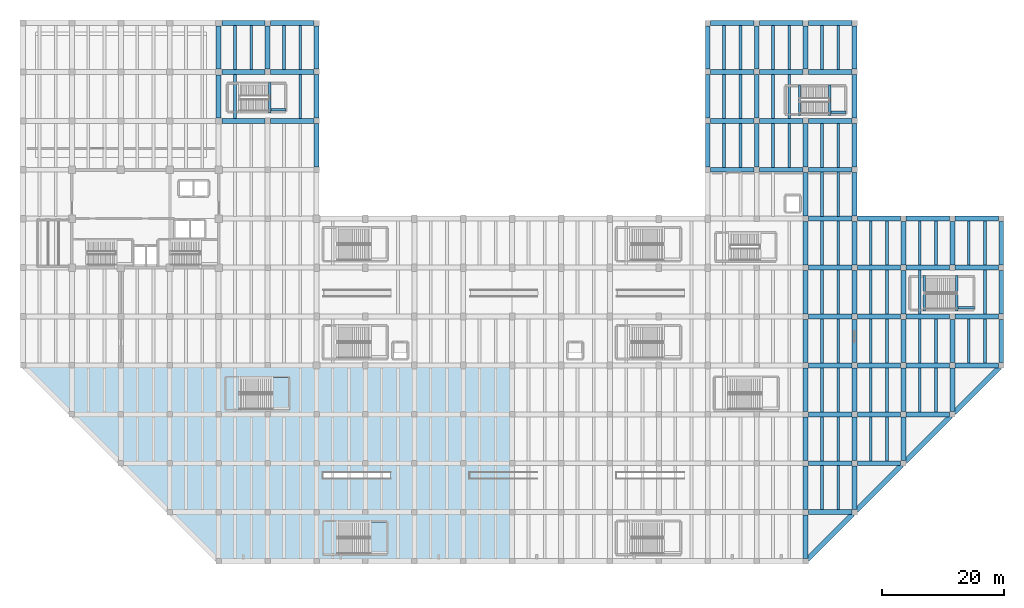
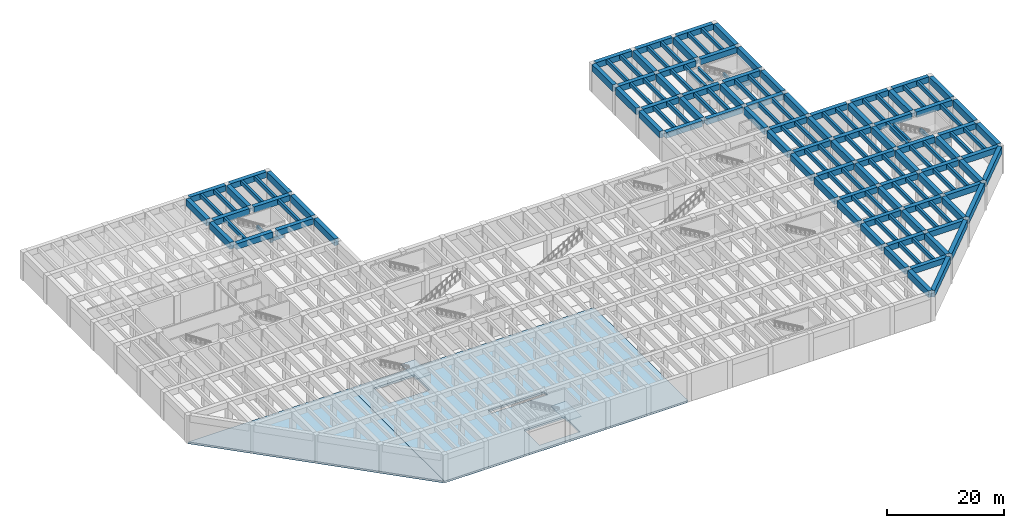
# One storey, part 5 of 24: 153 beams, 4 slabs, 2 elements without a shape of their own.
"""IFC4 building model written with IfcOpenShell, lengths in metres."""

import ifcopenshell
import ifcopenshell.guid

model = None  # the IFC model being written
_history = None  # IfcOwnerHistory: only IFC2X3 demands one
_inside = {}  # id of a spatial element -> (the spatial element, [elements in it])
_under = {}  # id of a project, library or spatial element -> (it, [spatial elements below it])
_declared = {}  # id of a project -> (the project, [libraries it declares])
_typed = {}  # id of a type object -> (the type object, [elements of that type])
_made_of = {}  # id of a material, layer set ... -> (it, [elements and type objects made of it])


def new_model(schema):
    """Start an empty IFC model of exactly this schema.

    Asked for "IFC4X3", IfcOpenShell would pick the latest addendum, in which some entities
    have other attributes; the version numbers below select the first issue.
    IFC2X3 requires an IfcOwnerHistory on every rooted entity: one is made here for all.
    """
    global model, _history
    if schema == "IFC4X3":
        model = ifcopenshell.file(schema_version=(4, 3, 0, 0))
    else:
        model = ifcopenshell.file(schema=schema)
    _inside.clear()
    _under.clear()
    _declared.clear()
    _typed.clear()
    _made_of.clear()
    _history = None
    if model.schema == "IFC2X3":
        org = make("IfcOrganization", Name="unknown")
        user = make(
            "IfcPersonAndOrganization",
            ThePerson=make("IfcPerson", FamilyName="unknown"),
            TheOrganization=org,
        )
        app = make(
            "IfcApplication",
            ApplicationDeveloper=org,
            Version="unknown",
            ApplicationFullName="unknown",
            ApplicationIdentifier="unknown",
        )
        _history = make(
            "IfcOwnerHistory",
            OwningUser=user,
            OwningApplication=app,
            ChangeAction="ADDED",
            CreationDate=0,
        )
    return model


def make(cls, **values):
    """One entity of the class cls with the attributes given. An attribute that is None is left unset."""
    return model.create_entity(
        cls, **{name: value for name, value in values.items() if value is not None}
    )


def rooted(cls, **values):
    """An entity with a GlobalId (a new one), such as an element, a storey or a relation."""
    return make(cls, GlobalId=ifcopenshell.guid.new(), OwnerHistory=_history, **values)


def si_unit(unit_type, name, prefix=None):
    """IfcSIUnit, for example si_unit("LENGTHUNIT", "METRE", prefix="MILLI")."""
    return make("IfcSIUnit", UnitType=unit_type, Prefix=prefix, Name=name)


def assignment(units):
    """IfcUnitAssignment: the units of a project."""
    return None if units is None else make("IfcUnitAssignment", Units=units)


def point(xyz):
    """IfcCartesianPoint."""
    return None if xyz is None else make("IfcCartesianPoint", Coordinates=xyz)


def direction(xyz):
    """IfcDirection."""
    return None if xyz is None else make("IfcDirection", DirectionRatios=xyz)


def frame(location, z_axis=None, x_axis=None):
    """IfcAxis2Placement3D, a coordinate frame: its origin and axes. An axis left out is left unset."""
    return make(
        "IfcAxis2Placement3D",
        Location=point(location),
        Axis=direction(z_axis),
        RefDirection=direction(x_axis),
    )


def frame_2d(location, x_axis=None):
    """IfcAxis2Placement2D, a coordinate frame in the plane: its origin and x axis."""
    return make(
        "IfcAxis2Placement2D", Location=point(location), RefDirection=direction(x_axis)
    )


def origin():
    """The frame at (0, 0, 0) with its axes left unset."""
    return frame((0.0, 0.0, 0.0))


def origin_2d():
    """The frame at (0, 0) in the plane with its x axis left unset."""
    return frame_2d((0.0, 0.0))


def place(relative_to, where):
    """IfcLocalPlacement: puts the frame where relative to a parent placement (None: the world)."""
    return make(
        "IfcLocalPlacement", PlacementRelTo=relative_to, RelativePlacement=where
    )


def context(
    kind, dimensions, precision=None, world=None, true_north=None, identifier=None
):
    """IfcGeometricRepresentationContext, for example the 3D "Model" context."""
    return make(
        "IfcGeometricRepresentationContext",
        ContextIdentifier=identifier,
        ContextType=kind,
        CoordinateSpaceDimension=dimensions,
        Precision=precision,
        WorldCoordinateSystem=world,
        TrueNorth=true_north,
    )


def subcontext(parent, identifier, kind, view, scale=None):
    """IfcGeometricRepresentationSubContext, for example "Body" below "Model"."""
    return make(
        "IfcGeometricRepresentationSubContext",
        ContextIdentifier=identifier,
        ContextType=kind,
        ParentContext=parent,
        TargetScale=scale,
        TargetView=view,
    )


def project(units=None, contexts=None):
    """IfcProject with its units and contexts."""
    return rooted(
        "IfcProject",
        Name="project",
        RepresentationContexts=contexts,
        UnitsInContext=assignment(units),
    )


def spatial(cls, under=None, at=None, **own):
    """A site, building, storey or space (cls), placed at a placement, below another one or the project."""
    s = rooted(cls, ObjectPlacement=at, **own)
    if under is not None:
        _under.setdefault(under.id(), (under, []))[1].append(s)
    return s


def polyline(points):
    """IfcPolyline through the points."""
    return make("IfcPolyline", Points=[point(p) for p in points])


def profile(cls, at=None, kind="AREA", **sizes):
    """A parametric profile (cls). Its sizes go by their IFC names, for example OverallWidth=200.0."""
    return make(cls, ProfileType=kind, Position=at, **sizes)


def rectangle(**sizes):
    """IfcRectangleProfileDef."""
    return profile("IfcRectangleProfileDef", **sizes)


def outline(outer, holes=None, kind="AREA"):
    """IfcArbitraryClosedProfileDef: a profile drawn as a closed curve; with holes, ...WithVoids."""
    if holes is None:
        return make("IfcArbitraryClosedProfileDef", ProfileType=kind, OuterCurve=outer)
    return make(
        "IfcArbitraryProfileDefWithVoids",
        ProfileType=kind,
        OuterCurve=outer,
        InnerCurves=holes,
    )


def extrude(swept, where, along, depth):
    """IfcExtrudedAreaSolid: the profile swept, set in the frame where, extruded along a direction by depth."""
    return make(
        "IfcExtrudedAreaSolid",
        SweptArea=swept,
        Position=where,
        ExtrudedDirection=direction(along),
        Depth=depth,
    )


def shape(context_of_items, identifier, shape_type, items):
    """IfcShapeRepresentation: the items that make up one representation, for example the "Body"."""
    return make(
        "IfcShapeRepresentation",
        ContextOfItems=context_of_items,
        RepresentationIdentifier=identifier,
        RepresentationType=shape_type,
        Items=items,
    )


def material(Name=None, Category=None):
    """IfcMaterial."""
    return make("IfcMaterial", Name=Name, Category=Category)


def layer(
    of_material, thickness, ventilated=None, Name=None, Category=None, Priority=None
):
    """IfcMaterialLayer: one layer of a wall or slab, of a material (None: an air gap)."""
    return make(
        "IfcMaterialLayer",
        Material=of_material,
        LayerThickness=thickness,
        IsVentilated=ventilated,
        Name=Name,
        Category=Category,
        Priority=Priority,
    )


def layer_set(layers, Name=None):
    """IfcMaterialLayerSet."""
    return make("IfcMaterialLayerSet", MaterialLayers=layers, LayerSetName=Name)


def material_profile(
    of_material, cross_section, Name=None, Category=None, Priority=None
):
    """IfcMaterialProfile: a cross section and its material."""
    return make(
        "IfcMaterialProfile",
        Name=Name,
        Material=of_material,
        Profile=cross_section,
        Priority=Priority,
        Category=Category,
    )


def profile_set(profiles, Name=None, composite=None):
    """IfcMaterialProfileSet."""
    return make(
        "IfcMaterialProfileSet",
        Name=Name,
        MaterialProfiles=profiles,
        CompositeProfile=composite,
    )


def made_of(thing, what):
    """Note that an element or type object is made of a material, layer set ...; save() writes the relation."""
    if what is not None:
        _made_of.setdefault(what.id(), (what, []))[1].append(thing)
    return thing


def type_object(cls, material=None, **own):
    """A type object (cls), such as IfcWallType, which elements share."""
    return made_of(rooted(cls, **own), material)


def element(
    cls,
    number,
    at=None,
    inside=None,
    cuts=None,
    type_object=None,
    material=None,
    context=None,
    identifier="Body",
    shape_type=None,
    held_by="IfcProductDefinitionShape",
    body=None,
    shapes=None,
    **own,
):
    """One element of the class cls, such as IfcWall. Its Tag is "e" and its number.

    at: its placement. inside: the storey or other place that contains it. cuts: it is an
    opening in that element (IfcRelVoidsElement). A single representation is given by context,
    identifier, shape_type and body (its items); several are given by shapes. held_by: the class
    of the entity that holds the representations. save() writes the other relations.
    """
    e = rooted(cls, Tag="e%d" % number, ObjectPlacement=at, **own)
    if body is not None:
        shapes = [shape(context, identifier, shape_type, body)]
    if shapes is not None:
        e.Representation = make(held_by, Representations=shapes)
    if inside is not None:
        _inside.setdefault(inside.id(), (inside, []))[1].append(e)
    if cuts is not None:
        rooted(
            "IfcRelVoidsElement", RelatingBuildingElement=cuts, RelatedOpeningElement=e
        )
    if type_object is not None:
        _typed.setdefault(type_object.id(), (type_object, []))[1].append(e)
    return made_of(e, material)


def aggregate(whole, parts):
    """IfcRelAggregates: a whole, such as a stair, and the parts it consists of."""
    return rooted("IfcRelAggregates", RelatingObject=whole, RelatedObjects=parts)


def save(model, path):
    """Write the relations noted so far, then the file.

    IfcRelAggregates (storeys below a building ...), IfcRelContainedInSpatialStructure (elements
    in a storey), IfcRelDefinesByType, IfcRelAssociatesMaterial and IfcRelDeclares: one each for
    every whole, place, type object, material and project.
    """
    for whole, parts in _under.values():
        aggregate(whole, parts)
    for where, things in _inside.values():
        rooted(
            "IfcRelContainedInSpatialStructure",
            RelatedElements=things,
            RelatingStructure=where,
        )
    for kind, things in _typed.values():
        rooted("IfcRelDefinesByType", RelatedObjects=things, RelatingType=kind)
    for what, things in _made_of.values():
        rooted("IfcRelAssociatesMaterial", RelatedObjects=things, RelatingMaterial=what)
    for by, libraries in _declared.values():
        rooted("IfcRelDeclares", RelatingContext=by, RelatedDefinitions=libraries)
    model.write(path)


model = new_model("IFC4")

# Units and contexts
model_context = context("Model", 3, precision=1e-05, world=origin(), true_north=direction((0.0, 1.0)))
body_context = subcontext(model_context, "Body", "Model", "MODEL_VIEW")
ifc_project = project(units=[si_unit("LENGTHUNIT", "METRE"), si_unit("AREAUNIT", "SQUARE_METRE"), si_unit("VOLUMEUNIT", "CUBIC_METRE"), si_unit("PLANEANGLEUNIT", "RADIAN"), si_unit("MASSUNIT", "GRAM", prefix="KILO")], contexts=[model_context])

# Site, building, storey
site_placement = place(None, origin())
site = spatial("IfcSite", under=ifc_project, at=site_placement, CompositionType="ELEMENT")
building_placement = place(site_placement, origin())
building = spatial("IfcBuilding", under=site, at=building_placement, Name="Varnela Railside Interchange", CompositionType="ELEMENT")
storey_placement = place(building_placement, frame((0.0, 0.0, -6.300048828125)))
storey = spatial("IfcBuildingStorey", under=building, at=storey_placement, Name="B1", CompositionType="ELEMENT", Elevation=-6.300048828125)

# Beams
ifc_material_1 = material(Name="Concrete C50", Category="concrete")
ifc_material_profile_1 = material_profile(ifc_material_1, rectangle(XDim=0.800048828125, YDim=1.199951171875, at=origin_2d()), Name="RC 800x1200")
ifc_profile_set_1 = profile_set([ifc_material_profile_1], Name="Concrete C50")
beam_type_1 = type_object("IfcBeamType", Name="Bus Deck Heavy Girder B-09", PredefinedType="BEAM", material=ifc_profile_set_1)
for number, where, z_axis, x_axis, name in (
    (1, (132.449951171875, 14.0, 5.25), (1.0, 0.0, 0.0), (0.0, 1.0, 0.0), "Bus Deck Heavy Girder B-09 (B1) (BM-0675)"),
    (2, (132.449951171875, 22.0, 5.25), (1.0, 0.0, 0.0), (0.0, 1.0, 0.0), "Bus Deck Heavy Girder B-09 (B1) (BM-0689)"),
    (3, (140.449951171875, 22.0, 5.25), (1.0, 0.0, 0.0), (0.0, 1.0, 0.0), "Bus Deck Heavy Girder B-09 (B1) (BM-0690)"),
    (4, (132.449951171875, 30.0, 5.25), (1.0, 0.0, 0.0), (0.0, 1.0, 0.0), "Bus Deck Heavy Girder B-09 (B1) (BM-0706)"),
    (5, (140.449951171875, 30.0, 5.25), (1.0, 0.0, 0.0), (0.0, 1.0, 0.0), "Bus Deck Heavy Girder B-09 (B1) (BM-0707)"),
    (6, (148.449951171875, 30.0, 5.25), (1.0, 0.0, 0.0), (0.0, 1.0, 0.0), "Bus Deck Heavy Girder B-09 (B1) (BM-0708)"),
    (7, (132.449951171875, 38.0, 5.25), (1.0, 0.0, 0.0), (0.0, 1.0, 0.0), "Bus Deck Heavy Girder B-09 (B1) (BM-0724)"),
    (8, (140.449951171875, 38.0, 5.25), (1.0, 0.0, 0.0), (0.0, 1.0, 0.0), "Bus Deck Heavy Girder B-09 (B1) (BM-0725)"),
    (9, (148.449951171875, 38.0, 5.25), (1.0, 0.0, 0.0), (0.0, 1.0, 0.0), "Bus Deck Heavy Girder B-09 (B1) (BM-0726)"),
    (10, (156.449951171875, 38.0, 5.25), (1.0, 0.0, 0.0), (0.0, 1.0, 0.0), "Bus Deck Heavy Girder B-09 (B1) (BM-0727)"),
    (11, (132.449951171875, 46.0, 5.25), (1.0, 0.0, 0.0), (0.0, 1.0, 0.0), "Bus Deck Heavy Girder B-09 (B1) (BM-0744)"),
    (12, (140.449951171875, 46.0, 5.25), (1.0, 0.0, 0.0), (0.0, 1.0, 0.0), "Bus Deck Heavy Girder B-09 (B1) (BM-0745)"),
    (13, (148.449951171875, 46.0, 5.25), (1.0, 0.0, 0.0), (0.0, 1.0, 0.0), "Bus Deck Heavy Girder B-09 (B1) (BM-0746)"),
    (14, (156.449951171875, 46.0, 5.25), (1.0, 0.0, 0.0), (0.0, 1.0, 0.0), "Bus Deck Heavy Girder B-09 (B1) (BM-0747)"),
    (15, (132.449951171875, 54.0, 5.25), (1.0, 0.0, 0.0), (0.0, 1.0, 0.0), "Bus Deck Heavy Girder B-09 (B1) (BM-0763)"),
    (16, (140.449951171875, 54.0, 5.25), (1.0, 0.0, 0.0), (0.0, 1.0, 0.0), "Bus Deck Heavy Girder B-09 (B1) (BM-0764)"),
    (17, (148.449951171875, 54.0, 5.25), (1.0, 0.0, 0.0), (0.0, 1.0, 0.0), "Bus Deck Heavy Girder B-09 (B1) (BM-0765)"),
    (18, (156.449951171875, 54.0, 5.25), (1.0, 0.0, 0.0), (0.0, 1.0, 0.0), "Bus Deck Heavy Girder B-09 (B1) (BM-0766)"),
    (19, (132.449951171875, 62.0, 5.25), (1.0, 0.0, 0.0), (0.0, 1.0, 0.0), "Bus Deck Heavy Girder B-09 (B1) (BM-0780)"),
    (20, (140.449951171875, 62.0, 5.25), (1.0, 0.0, 0.0), (0.0, 1.0, 0.0), "Bus Deck Heavy Girder B-09 (B1) (BM-0781)"),
    (21, (148.449951171875, 62.0, 5.25), (1.0, 0.0, 0.0), (0.0, 1.0, 0.0), "Bus Deck Heavy Girder B-09 (B1) (BM-0782)"),
    (22, (156.449951171875, 62.0, 5.25), (1.0, 0.0, 0.0), (0.0, 1.0, 0.0), "Bus Deck Heavy Girder B-09 (B1) (BM-0783)"),
    (23, (116.449951171875, 70.0, 5.25), (1.0, 0.0, 0.0), (0.0, 1.0, 0.0), "Bus Deck Heavy Girder B-09 (B1) (BM-0793)"),
    (24, (124.449951171875, 70.0, 5.25), (1.0, 0.0, 0.0), (0.0, 1.0, 0.0), "Bus Deck Heavy Girder B-09 (B1) (BM-0794)"),
    (25, (132.449951171875, 70.0, 5.25), (1.0, 0.0, 0.0), (0.0, 1.0, 0.0), "Bus Deck Heavy Girder B-09 (B1) (BM-0795)"),
):
    element("IfcBeam", number, at=place(storey_placement, frame(where, z_axis=z_axis, x_axis=x_axis)), inside=storey, type_object=beam_type_1, Name=name, PredefinedType="BEAM", context=body_context, shape_type="SweptSolid", body=[
        extrude(rectangle(XDim=0.800048828125, YDim=1.199951171875, at=origin_2d()), origin(), (0.0, 0.0, 1.0), 7.10009765625),
    ])
beam_1_placement = place(storey_placement, frame((36.5, 78.0, 5.25), z_axis=(1.0, 0.0, 0.0), x_axis=(0.0, 1.0, 0.0)))
element("IfcBeam", 26, at=beam_1_placement, inside=storey, type_object=beam_type_1, Name="Bus Deck Heavy Girder B-09 (B1) (BM-0805)", PredefinedType="BEAM", context=body_context, shape_type="SweptSolid", body=[
    extrude(rectangle(XDim=0.800048828125, YDim=1.199951171875, at=origin_2d()), origin(), (0.0, 0.0, 1.0), 7.050048828125),
])
for number, where, z_axis, x_axis, name in (
    (27, (44.449951171875, 78.0, 5.25), (1.0, 0.0, 0.0), (0.0, 1.0, 0.0), "Bus Deck Heavy Girder B-09 (B1) (BM-0806)"),
    (28, (116.449951171875, 78.0, 5.25), (1.0, 0.0, 0.0), (0.0, 1.0, 0.0), "Bus Deck Heavy Girder B-09 (B1) (BM-0799)"),
    (29, (124.449951171875, 78.0, 5.25), (1.0, 0.0, 0.0), (0.0, 1.0, 0.0), "Bus Deck Heavy Girder B-09 (B1) (BM-0800)"),
    (30, (132.449951171875, 78.0, 5.25), (1.0, 0.0, 0.0), (0.0, 1.0, 0.0), "Bus Deck Heavy Girder B-09 (B1) (BM-0802)"),
):
    element("IfcBeam", number, at=place(storey_placement, frame(where, z_axis=z_axis, x_axis=x_axis)), inside=storey, type_object=beam_type_1, Name=name, PredefinedType="BEAM", context=body_context, shape_type="SweptSolid", body=[
        extrude(rectangle(XDim=0.800048828125, YDim=1.199951171875, at=origin_2d()), origin(), (0.0, 0.0, 1.0), 7.10009765625),
    ])
beam_2_placement = place(storey_placement, frame((36.5, 86.0, 5.25), z_axis=(1.0, 0.0, 0.0), x_axis=(0.0, 1.0, 0.0)))
element("IfcBeam", 31, at=beam_2_placement, inside=storey, type_object=beam_type_1, Name="Bus Deck Heavy Girder B-09 (B1) (BM-0814)", PredefinedType="BEAM", context=body_context, shape_type="SweptSolid", body=[
    extrude(rectangle(XDim=0.800048828125, YDim=1.199951171875, at=origin_2d()), origin(), (0.0, 0.0, 1.0), 7.050048828125),
])
for number, where, z_axis, x_axis, name in (
    (32, (44.449951171875, 86.0, 5.25), (1.0, 0.0, 0.0), (0.0, 1.0, 0.0), "Bus Deck Heavy Girder B-09 (B1) (BM-0815)"),
    (33, (116.449951171875, 86.0, 5.25), (1.0, 0.0, 0.0), (0.0, 1.0, 0.0), "Bus Deck Heavy Girder B-09 (B1) (BM-0808)"),
    (34, (124.449951171875, 86.0, 5.25), (1.0, 0.0, 0.0), (0.0, 1.0, 0.0), "Bus Deck Heavy Girder B-09 (B1) (BM-0809)"),
    (35, (132.449951171875, 86.0, 5.25), (1.0, 0.0, 0.0), (0.0, 1.0, 0.0), "Bus Deck Heavy Girder B-09 (B1) (BM-0811)"),
):
    element("IfcBeam", number, at=place(storey_placement, frame(where, z_axis=z_axis, x_axis=x_axis)), inside=storey, type_object=beam_type_1, Name=name, PredefinedType="BEAM", context=body_context, shape_type="SweptSolid", body=[
        extrude(rectangle(XDim=0.800048828125, YDim=1.199951171875, at=origin_2d()), origin(), (0.0, 0.0, 1.0), 7.10009765625),
    ])
beam_3_placement = place(storey_placement, frame((36.5, 94.0, 5.25), z_axis=(1.0, 0.0, 0.0), x_axis=(0.0, 1.0, 0.0)))
element("IfcBeam", 36, at=beam_3_placement, inside=storey, type_object=beam_type_1, Name="Bus Deck Heavy Girder B-09 (B1) (BM-0823)", PredefinedType="BEAM", context=body_context, shape_type="SweptSolid", body=[
    extrude(rectangle(XDim=0.800048828125, YDim=1.199951171875, at=origin_2d()), origin(), (0.0, 0.0, 1.0), 7.050048828125),
])
for number, where, z_axis, x_axis, name in (
    (37, (44.449951171875, 94.0, 5.25), (1.0, 0.0, 0.0), (0.0, 1.0, 0.0), "Bus Deck Heavy Girder B-09 (B1) (BM-0824)"),
    (38, (116.449951171875, 94.0, 5.25), (1.0, 0.0, 0.0), (0.0, 1.0, 0.0), "Bus Deck Heavy Girder B-09 (B1) (BM-0817)"),
    (39, (124.449951171875, 94.0, 5.25), (1.0, 0.0, 0.0), (0.0, 1.0, 0.0), "Bus Deck Heavy Girder B-09 (B1) (BM-0818)"),
    (40, (132.449951171875, 94.0, 5.25), (1.0, 0.0, 0.0), (0.0, 1.0, 0.0), "Bus Deck Heavy Girder B-09 (B1) (BM-0820)"),
):
    element("IfcBeam", number, at=place(storey_placement, frame(where, z_axis=z_axis, x_axis=x_axis)), inside=storey, type_object=beam_type_1, Name=name, PredefinedType="BEAM", context=body_context, shape_type="SweptSolid", body=[
        extrude(rectangle(XDim=0.800048828125, YDim=1.199951171875, at=origin_2d()), origin(), (0.0, 0.0, 1.0), 7.10009765625),
    ])
ifc_material_profile_2 = material_profile(ifc_material_1, rectangle(XDim=0.800048828125, YDim=1.39990234375, at=origin_2d()), Name="RC 800x1400")
ifc_profile_set_2 = profile_set([ifc_material_profile_2], Name="Concrete C50")
beam_type_2 = type_object("IfcBeamType", Name="Bus Deck Portal Girder B-10", PredefinedType="BEAM", material=ifc_profile_set_2)
for number, where, z_axis, x_axis, name in (
    (41, (36.0, 78.5, 5.150146484375), (0.0, 1.0, 0.0), (-1.0, 0.0, 0.0), "Bus Deck Portal Girder B-10 (B1) (BM-0943)"),
    (42, (36.0, 86.5, 5.150146484375), (0.0, 1.0, 0.0), (-1.0, 0.0, 0.0), "Bus Deck Portal Girder B-10 (B1) (BM-0944)"),
):
    element("IfcBeam", number, at=place(storey_placement, frame(where, z_axis=z_axis, x_axis=x_axis)), inside=storey, type_object=beam_type_2, Name=name, PredefinedType="BEAM", context=body_context, shape_type="SweptSolid", body=[
        extrude(rectangle(XDim=0.800048828125, YDim=1.39990234375, at=origin_2d()), origin(), (0.0, 0.0, 1.0), 7.0),
    ])
for number, where, z_axis, x_axis, name in (
    (43, (44.0, 86.449951171875, 5.150146484375), (0.0, 1.0, 0.0), (-1.0, 0.0, 0.0), "Bus Deck Portal Girder B-10 (B1) (BM-0953)"),
    (44, (52.0, 70.449951171875, 5.150146484375), (0.0, 1.0, 0.0), (-1.0, 0.0, 0.0), "Bus Deck Portal Girder B-10 (B1) (BM-0962)"),
    (45, (52.0, 78.449951171875, 5.150146484375), (0.0, 1.0, 0.0), (-1.0, 0.0, 0.0), "Bus Deck Portal Girder B-10 (B1) (BM-0963)"),
    (46, (52.0, 86.449951171875, 5.150146484375), (0.0, 1.0, 0.0), (-1.0, 0.0, 0.0), "Bus Deck Portal Girder B-10 (B1) (BM-0964)"),
    (47, (116.0, 70.449951171875, 5.150146484375), (0.0, 1.0, 0.0), (-1.0, 0.0, 0.0), "Bus Deck Portal Girder B-10 (B1) (BM-0864)"),
    (48, (116.0, 78.449951171875, 5.150146484375), (0.0, 1.0, 0.0), (-1.0, 0.0, 0.0), "Bus Deck Portal Girder B-10 (B1) (BM-0865)"),
    (49, (116.0, 86.449951171875, 5.150146484375), (0.0, 1.0, 0.0), (-1.0, 0.0, 0.0), "Bus Deck Portal Girder B-10 (B1) (BM-0866)"),
    (50, (124.0, 70.449951171875, 5.150146484375), (0.0, 1.0, 0.0), (-1.0, 0.0, 0.0), "Bus Deck Portal Girder B-10 (B1) (BM-0873)"),
    (51, (124.0, 78.449951171875, 5.150146484375), (0.0, 1.0, 0.0), (-1.0, 0.0, 0.0), "Bus Deck Portal Girder B-10 (B1) (BM-0874)"),
    (52, (124.0, 86.449951171875, 5.150146484375), (0.0, 1.0, 0.0), (-1.0, 0.0, 0.0), "Bus Deck Portal Girder B-10 (B1) (BM-0875)"),
    (53, (132.0, 6.449951171875, 5.150146484375), (0.0, 1.0, 0.0), (-1.0, 0.0, 0.0), "Bus Deck Portal Girder B-10 (B1) (BM-0883)"),
    (54, (132.0, 14.449951171875, 5.150146484375), (0.0, 1.0, 0.0), (-1.0, 0.0, 0.0), "Bus Deck Portal Girder B-10 (B1) (BM-0876)"),
    (55, (132.0, 22.449951171875, 5.150146484375), (0.0, 1.0, 0.0), (-1.0, 0.0, 0.0), "Bus Deck Portal Girder B-10 (B1) (BM-0877)"),
    (56, (132.0, 30.449951171875, 5.150146484375), (0.0, 1.0, 0.0), (-1.0, 0.0, 0.0), "Bus Deck Portal Girder B-10 (B1) (BM-0878)"),
    (57, (132.0, 38.449951171875, 5.150146484375), (0.0, 1.0, 0.0), (-1.0, 0.0, 0.0), "Bus Deck Portal Girder B-10 (B1) (BM-0879)"),
    (58, (132.0, 46.449951171875, 5.150146484375), (0.0, 1.0, 0.0), (-1.0, 0.0, 0.0), "Bus Deck Portal Girder B-10 (B1) (BM-0880)"),
    (59, (132.0, 54.449951171875, 5.150146484375), (0.0, 1.0, 0.0), (-1.0, 0.0, 0.0), "Bus Deck Portal Girder B-10 (B1) (BM-0881)"),
    (60, (132.0, 62.449951171875, 5.150146484375), (0.0, 1.0, 0.0), (-1.0, 0.0, 0.0), "Bus Deck Portal Girder B-10 (B1) (BM-0882)"),
    (61, (132.0, 70.449951171875, 5.150146484375), (0.0, 1.0, 0.0), (-1.0, 0.0, 0.0), "Bus Deck Portal Girder B-10 (B1) (BM-0884)"),
    (62, (132.0, 86.449951171875, 5.150146484375), (0.0, 1.0, 0.0), (-1.0, 0.0, 0.0), "Bus Deck Portal Girder B-10 (B1) (BM-0885)"),
    (63, (140.0, 14.449951171875, 5.150146484375), (0.0, 1.0, 0.0), (-1.0, 0.0, 0.0), "Bus Deck Portal Girder B-10 (B1) (BM-0886)"),
    (64, (140.0, 22.449951171875, 5.150146484375), (0.0, 1.0, 0.0), (-1.0, 0.0, 0.0), "Bus Deck Portal Girder B-10 (B1) (BM-0887)"),
    (65, (140.0, 30.449951171875, 5.150146484375), (0.0, 1.0, 0.0), (-1.0, 0.0, 0.0), "Bus Deck Portal Girder B-10 (B1) (BM-0888)"),
    (66, (140.0, 38.449951171875, 5.150146484375), (0.0, 1.0, 0.0), (-1.0, 0.0, 0.0), "Bus Deck Portal Girder B-10 (B1) (BM-0889)"),
    (67, (140.0, 46.449951171875, 5.150146484375), (0.0, 1.0, 0.0), (-1.0, 0.0, 0.0), "Bus Deck Portal Girder B-10 (B1) (BM-0890)"),
    (68, (140.0, 54.449951171875, 5.150146484375), (0.0, 1.0, 0.0), (-1.0, 0.0, 0.0), "Bus Deck Portal Girder B-10 (B1) (BM-0891)"),
    (69, (140.0, 62.449951171875, 5.150146484375), (0.0, 1.0, 0.0), (-1.0, 0.0, 0.0), "Bus Deck Portal Girder B-10 (B1) (BM-0892)"),
    (70, (140.0, 70.449951171875, 5.150146484375), (0.0, 1.0, 0.0), (-1.0, 0.0, 0.0), "Bus Deck Portal Girder B-10 (B1) (BM-0893)"),
    (71, (140.0, 78.449951171875, 5.150146484375), (0.0, 1.0, 0.0), (-1.0, 0.0, 0.0), "Bus Deck Portal Girder B-10 (B1) (BM-0894)"),
    (72, (140.0, 86.449951171875, 5.150146484375), (0.0, 1.0, 0.0), (-1.0, 0.0, 0.0), "Bus Deck Portal Girder B-10 (B1) (BM-0895)"),
    (73, (148.0, 22.449951171875, 5.150146484375), (0.0, 1.0, 0.0), (-1.0, 0.0, 0.0), "Bus Deck Portal Girder B-10 (B1) (BM-0896)"),
    (74, (148.0, 30.449951171875, 5.150146484375), (0.0, 1.0, 0.0), (-1.0, 0.0, 0.0), "Bus Deck Portal Girder B-10 (B1) (BM-0897)"),
    (75, (148.0, 38.449951171875, 5.150146484375), (0.0, 1.0, 0.0), (-1.0, 0.0, 0.0), "Bus Deck Portal Girder B-10 (B1) (BM-0898)"),
    (76, (148.0, 46.449951171875, 5.150146484375), (0.0, 1.0, 0.0), (-1.0, 0.0, 0.0), "Bus Deck Portal Girder B-10 (B1) (BM-0899)"),
    (77, (148.0, 54.449951171875, 5.150146484375), (0.0, 1.0, 0.0), (-1.0, 0.0, 0.0), "Bus Deck Portal Girder B-10 (B1) (BM-0900)"),
    (78, (156.0, 30.449951171875, 5.150146484375), (0.0, 1.0, 0.0), (-1.0, 0.0, 0.0), "Bus Deck Portal Girder B-10 (B1) (BM-0908)"),
    (79, (156.0, 38.449951171875, 5.150146484375), (0.0, 1.0, 0.0), (-1.0, 0.0, 0.0), "Bus Deck Portal Girder B-10 (B1) (BM-0909)"),
    (80, (156.0, 54.449951171875, 5.150146484375), (0.0, 1.0, 0.0), (-1.0, 0.0, 0.0), "Bus Deck Portal Girder B-10 (B1) (BM-0910)"),
    (81, (164.0, 38.449951171875, 5.150146484375), (0.0, 1.0, 0.0), (-1.0, 0.0, 0.0), "Bus Deck Portal Girder B-10 (B1) (BM-0911)"),
    (82, (164.0, 46.449951171875, 5.150146484375), (0.0, 1.0, 0.0), (-1.0, 0.0, 0.0), "Bus Deck Portal Girder B-10 (B1) (BM-0912)"),
    (83, (164.0, 54.449951171875, 5.150146484375), (0.0, 1.0, 0.0), (-1.0, 0.0, 0.0), "Bus Deck Portal Girder B-10 (B1) (BM-0913)"),
):
    element("IfcBeam", number, at=place(storey_placement, frame(where, z_axis=z_axis, x_axis=x_axis)), inside=storey, type_object=beam_type_2, Name=name, PredefinedType="BEAM", context=body_context, shape_type="SweptSolid", body=[
        extrude(rectangle(XDim=0.800048828125, YDim=1.39990234375, at=origin_2d()), origin(), (0.0, 0.0, 1.0), 7.10009765625),
    ])
for number, where, z_axis, x_axis, name in (
    (84, (132.318115234375, 6.318115234375, 5.150146484375), (0.707106781187, 0.707106781187, 0.0), (-0.707106781187, 0.707106781187, 0.0), "Bus Deck Portal Girder B-10 (B1) (BM-0975)"),
    (85, (140.318115234375, 14.318115234375, 5.150146484375), (0.707106781187, 0.707106781187, 0.0), (-0.707106781187, 0.707106781187, 0.0), "Bus Deck Portal Girder B-10 (B1) (BM-0976)"),
    (86, (148.318115234375, 22.318115234375, 5.150146484375), (0.707106781187, 0.707106781187, 0.0), (-0.707106781187, 0.707106781187, 0.0), "Bus Deck Portal Girder B-10 (B1) (BM-0977)"),
    (87, (156.318115234375, 30.318115234375, 5.150146484375), (0.707106781187, 0.707106781187, 0.0), (-0.707106781187, 0.707106781187, 0.0), "Bus Deck Portal Girder B-10 (B1) (BM-0978)"),
):
    element("IfcBeam", number, at=place(storey_placement, frame(where, z_axis=z_axis, x_axis=x_axis)), inside=storey, type_object=beam_type_2, Name=name, PredefinedType="BEAM", context=body_context, shape_type="SweptSolid", body=[
        extrude(rectangle(XDim=0.800048828125, YDim=1.39990234375, at=origin_2d()), origin(), (0.0, 0.0, 1.0), 10.4140625),
    ])
ifc_material_2 = material(Name="Concrete C40", Category="concrete")
ifc_material_profile_3 = material_profile(ifc_material_2, rectangle(XDim=0.449951171875, YDim=0.800048828125, at=origin_2d()), Name="RC 450x800")
ifc_profile_set_3 = profile_set([ifc_material_profile_3], Name="Concrete C40")
beam_type_3 = type_object("IfcBeamType", Name="Concrete Secondary Beam B-02", PredefinedType="BEAM", material=ifc_profile_set_3)
for number, where, z_axis, x_axis, name in (
    (88, (38.669921875, 78.39990234375, 5.449951171875), (0.0, 1.0, 0.0), (-1.0, 0.0, 0.0), "Concrete Secondary Beam B-02 (B1) (BM-0594)"),
    (89, (38.669921875, 86.39990234375, 5.449951171875), (0.0, 1.0, 0.0), (-1.0, 0.0, 0.0), "Concrete Secondary Beam B-02 (B1) (BM-0577)"),
    (90, (41.330078125, 86.39990234375, 5.449951171875), (0.0, 1.0, 0.0), (-1.0, 0.0, 0.0), "Concrete Secondary Beam B-02 (B1) (BM-0578)"),
    (91, (49.330078125, 78.39990234375, 5.449951171875), (0.0, 1.0, 0.0), (-1.0, 0.0, 0.0), "Concrete Secondary Beam B-02 (B1) (BM-0614)"),
    (92, (46.669921875, 86.39990234375, 5.449951171875), (0.0, 1.0, 0.0), (-1.0, 0.0, 0.0), "Concrete Secondary Beam B-02 (B1) (BM-0597)"),
    (93, (49.330078125, 86.39990234375, 5.449951171875), (0.0, 1.0, 0.0), (-1.0, 0.0, 0.0), "Concrete Secondary Beam B-02 (B1) (BM-0598)"),
    (94, (118.669921875, 70.39990234375, 5.449951171875), (0.0, 1.0, 0.0), (-1.0, 0.0, 0.0), "Concrete Secondary Beam B-02 (B1) (BM-0470)"),
    (95, (121.330078125, 70.39990234375, 5.449951171875), (0.0, 1.0, 0.0), (-1.0, 0.0, 0.0), "Concrete Secondary Beam B-02 (B1) (BM-0471)"),
    (96, (118.669921875, 78.39990234375, 5.449951171875), (0.0, 1.0, 0.0), (-1.0, 0.0, 0.0), "Concrete Secondary Beam B-02 (B1) (BM-0472)"),
    (97, (121.330078125, 78.39990234375, 5.449951171875), (0.0, 1.0, 0.0), (-1.0, 0.0, 0.0), "Concrete Secondary Beam B-02 (B1) (BM-0473)"),
    (98, (118.669921875, 86.39990234375, 5.449951171875), (0.0, 1.0, 0.0), (-1.0, 0.0, 0.0), "Concrete Secondary Beam B-02 (B1) (BM-0456)"),
    (99, (121.330078125, 86.39990234375, 5.449951171875), (0.0, 1.0, 0.0), (-1.0, 0.0, 0.0), "Concrete Secondary Beam B-02 (B1) (BM-0457)"),
    (100, (126.669921875, 70.39990234375, 5.449951171875), (0.0, 1.0, 0.0), (-1.0, 0.0, 0.0), "Concrete Secondary Beam B-02 (B1) (BM-0489)"),
    (101, (129.330078125, 70.39990234375, 5.449951171875), (0.0, 1.0, 0.0), (-1.0, 0.0, 0.0), "Concrete Secondary Beam B-02 (B1) (BM-0490)"),
    (102, (126.669921875, 78.39990234375, 5.449951171875), (0.0, 1.0, 0.0), (-1.0, 0.0, 0.0), "Concrete Secondary Beam B-02 (B1) (BM-0491)"),
    (103, (129.330078125, 78.39990234375, 5.449951171875), (0.0, 1.0, 0.0), (-1.0, 0.0, 0.0), "Concrete Secondary Beam B-02 (B1) (BM-0492)"),
    (104, (126.669921875, 86.39990234375, 5.449951171875), (0.0, 1.0, 0.0), (-1.0, 0.0, 0.0), "Concrete Secondary Beam B-02 (B1) (BM-0476)"),
    (105, (129.330078125, 86.39990234375, 5.449951171875), (0.0, 1.0, 0.0), (-1.0, 0.0, 0.0), "Concrete Secondary Beam B-02 (B1) (BM-0477)"),
    (106, (134.669921875, 14.39990234375, 5.449951171875), (0.0, 1.0, 0.0), (-1.0, 0.0, 0.0), "Concrete Secondary Beam B-02 (B1) (BM-0495)"),
    (107, (137.330078125, 14.39990234375, 5.449951171875), (0.0, 1.0, 0.0), (-1.0, 0.0, 0.0), "Concrete Secondary Beam B-02 (B1) (BM-0496)"),
    (108, (134.669921875, 22.39990234375, 5.449951171875), (0.0, 1.0, 0.0), (-1.0, 0.0, 0.0), "Concrete Secondary Beam B-02 (B1) (BM-0497)"),
    (109, (137.330078125, 22.39990234375, 5.449951171875), (0.0, 1.0, 0.0), (-1.0, 0.0, 0.0), "Concrete Secondary Beam B-02 (B1) (BM-0498)"),
    (110, (134.669921875, 30.39990234375, 5.449951171875), (0.0, 1.0, 0.0), (-1.0, 0.0, 0.0), "Concrete Secondary Beam B-02 (B1) (BM-0499)"),
    (111, (137.330078125, 30.39990234375, 5.449951171875), (0.0, 1.0, 0.0), (-1.0, 0.0, 0.0), "Concrete Secondary Beam B-02 (B1) (BM-0500)"),
    (112, (134.669921875, 38.39990234375, 5.449951171875), (0.0, 1.0, 0.0), (-1.0, 0.0, 0.0), "Concrete Secondary Beam B-02 (B1) (BM-0501)"),
    (113, (137.330078125, 38.39990234375, 5.449951171875), (0.0, 1.0, 0.0), (-1.0, 0.0, 0.0), "Concrete Secondary Beam B-02 (B1) (BM-0502)"),
    (114, (134.669921875, 46.39990234375, 5.449951171875), (0.0, 1.0, 0.0), (-1.0, 0.0, 0.0), "Concrete Secondary Beam B-02 (B1) (BM-0503)"),
    (115, (137.330078125, 46.39990234375, 5.449951171875), (0.0, 1.0, 0.0), (-1.0, 0.0, 0.0), "Concrete Secondary Beam B-02 (B1) (BM-0504)"),
    (116, (134.669921875, 54.39990234375, 5.449951171875), (0.0, 1.0, 0.0), (-1.0, 0.0, 0.0), "Concrete Secondary Beam B-02 (B1) (BM-0505)"),
    (117, (137.330078125, 54.39990234375, 5.449951171875), (0.0, 1.0, 0.0), (-1.0, 0.0, 0.0), "Concrete Secondary Beam B-02 (B1) (BM-0506)"),
    (118, (134.669921875, 62.39990234375, 5.449951171875), (0.0, 1.0, 0.0), (-1.0, 0.0, 0.0), "Concrete Secondary Beam B-02 (B1) (BM-0507)"),
    (119, (137.330078125, 62.39990234375, 5.449951171875), (0.0, 1.0, 0.0), (-1.0, 0.0, 0.0), "Concrete Secondary Beam B-02 (B1) (BM-0508)"),
    (120, (134.669921875, 70.39990234375, 5.449951171875), (0.0, 1.0, 0.0), (-1.0, 0.0, 0.0), "Concrete Secondary Beam B-02 (B1) (BM-0509)"),
    (121, (137.330078125, 70.39990234375, 5.449951171875), (0.0, 1.0, 0.0), (-1.0, 0.0, 0.0), "Concrete Secondary Beam B-02 (B1) (BM-0510)"),
    (122, (134.669921875, 86.39990234375, 5.449951171875), (0.0, 1.0, 0.0), (-1.0, 0.0, 0.0), "Concrete Secondary Beam B-02 (B1) (BM-0493)"),
    (123, (137.330078125, 86.39990234375, 5.449951171875), (0.0, 1.0, 0.0), (-1.0, 0.0, 0.0), "Concrete Secondary Beam B-02 (B1) (BM-0494)"),
    (124, (142.669921875, 22.39990234375, 5.449951171875), (0.0, 1.0, 0.0), (-1.0, 0.0, 0.0), "Concrete Secondary Beam B-02 (B1) (BM-0511)"),
    (125, (145.330078125, 22.39990234375, 5.449951171875), (0.0, 1.0, 0.0), (-1.0, 0.0, 0.0), "Concrete Secondary Beam B-02 (B1) (BM-0512)"),
    (126, (142.669921875, 30.39990234375, 5.449951171875), (0.0, 1.0, 0.0), (-1.0, 0.0, 0.0), "Concrete Secondary Beam B-02 (B1) (BM-0513)"),
    (127, (145.330078125, 30.39990234375, 5.449951171875), (0.0, 1.0, 0.0), (-1.0, 0.0, 0.0), "Concrete Secondary Beam B-02 (B1) (BM-0514)"),
    (128, (142.669921875, 38.39990234375, 5.449951171875), (0.0, 1.0, 0.0), (-1.0, 0.0, 0.0), "Concrete Secondary Beam B-02 (B1) (BM-0515)"),
    (129, (145.330078125, 38.39990234375, 5.449951171875), (0.0, 1.0, 0.0), (-1.0, 0.0, 0.0), "Concrete Secondary Beam B-02 (B1) (BM-0516)"),
    (130, (142.669921875, 46.39990234375, 5.449951171875), (0.0, 1.0, 0.0), (-1.0, 0.0, 0.0), "Concrete Secondary Beam B-02 (B1) (BM-0517)"),
    (131, (145.330078125, 46.39990234375, 5.449951171875), (0.0, 1.0, 0.0), (-1.0, 0.0, 0.0), "Concrete Secondary Beam B-02 (B1) (BM-0518)"),
    (132, (142.669921875, 54.39990234375, 5.449951171875), (0.0, 1.0, 0.0), (-1.0, 0.0, 0.0), "Concrete Secondary Beam B-02 (B1) (BM-0519)"),
    (133, (145.330078125, 54.39990234375, 5.449951171875), (0.0, 1.0, 0.0), (-1.0, 0.0, 0.0), "Concrete Secondary Beam B-02 (B1) (BM-0520)"),
    (134, (150.669921875, 30.39990234375, 5.449951171875), (0.0, 1.0, 0.0), (-1.0, 0.0, 0.0), "Concrete Secondary Beam B-02 (B1) (BM-0521)"),
    (135, (153.330078125, 30.39990234375, 5.449951171875), (0.0, 1.0, 0.0), (-1.0, 0.0, 0.0), "Concrete Secondary Beam B-02 (B1) (BM-0522)"),
    (136, (150.669921875, 38.39990234375, 5.449951171875), (0.0, 1.0, 0.0), (-1.0, 0.0, 0.0), "Concrete Secondary Beam B-02 (B1) (BM-0523)"),
    (137, (153.330078125, 38.39990234375, 5.449951171875), (0.0, 1.0, 0.0), (-1.0, 0.0, 0.0), "Concrete Secondary Beam B-02 (B1) (BM-0524)"),
    (138, (150.669921875, 46.39990234375, 5.449951171875), (0.0, 1.0, 0.0), (-1.0, 0.0, 0.0), "Concrete Secondary Beam B-02 (B1) (BM-0525)"),
    (139, (150.669921875, 54.39990234375, 5.449951171875), (0.0, 1.0, 0.0), (-1.0, 0.0, 0.0), "Concrete Secondary Beam B-02 (B1) (BM-0526)"),
    (140, (153.330078125, 54.39990234375, 5.449951171875), (0.0, 1.0, 0.0), (-1.0, 0.0, 0.0), "Concrete Secondary Beam B-02 (B1) (BM-0527)"),
    (141, (158.669921875, 38.39990234375, 5.449951171875), (0.0, 1.0, 0.0), (-1.0, 0.0, 0.0), "Concrete Secondary Beam B-02 (B1) (BM-0528)"),
    (142, (161.330078125, 38.39990234375, 5.449951171875), (0.0, 1.0, 0.0), (-1.0, 0.0, 0.0), "Concrete Secondary Beam B-02 (B1) (BM-0529)"),
    (143, (161.330078125, 46.39990234375, 5.449951171875), (0.0, 1.0, 0.0), (-1.0, 0.0, 0.0), "Concrete Secondary Beam B-02 (B1) (BM-0530)"),
    (144, (158.669921875, 54.39990234375, 5.449951171875), (0.0, 1.0, 0.0), (-1.0, 0.0, 0.0), "Concrete Secondary Beam B-02 (B1) (BM-0531)"),
    (145, (161.330078125, 54.39990234375, 5.449951171875), (0.0, 1.0, 0.0), (-1.0, 0.0, 0.0), "Concrete Secondary Beam B-02 (B1) (BM-0532)"),
):
    element("IfcBeam", number, at=place(storey_placement, frame(where, z_axis=z_axis, x_axis=x_axis)), inside=storey, type_object=beam_type_3, Name=name, PredefinedType="BEAM", context=body_context, shape_type="SweptSolid", body=[
        extrude(rectangle(XDim=0.449951171875, YDim=0.800048828125, at=origin_2d()), origin(), (0.0, 0.0, 1.0), 7.2001953125),
    ])
ifc_material_profile_4 = material_profile(ifc_material_2, rectangle(XDim=0.39990234375, YDim=0.699951171875, at=origin_2d()), Name="RC 400x700")
ifc_profile_set_4 = profile_set([ifc_material_profile_4], Name="Concrete C40")
beam_type_4 = type_object("IfcBeamType", Name="Concrete Tie Beam B-01", PredefinedType="BEAM", material=ifc_profile_set_4)
for number, where, z_axis, x_axis, name in (
    (146, (131.0, 78.919921875, 5.5), (0.0, 1.0, 0.0), (-1.0, 0.0, 0.0), "Concrete Tie Beam B-01 (B1) (BM-1016)"),
    (147, (135.929931640625, 78.919921875, 2.64013671875), (0.0, 1.0, 0.0), (-1.0, 0.0, 0.0), "Concrete Tie Beam B-01 (B1) (BM-1002)"),
):
    element("IfcBeam", number, at=place(storey_placement, frame(where, z_axis=z_axis, x_axis=x_axis)), inside=storey, type_object=beam_type_4, Name=name, PredefinedType="BEAM", context=body_context, shape_type="SweptSolid", body=[
        extrude(rectangle(XDim=0.39990234375, YDim=0.699951171875, at=origin_2d()), origin(), (0.0, 0.0, 1.0), 4.9599609375),
    ])
beam_4_placement = place(storey_placement, frame((136.1298828125, 79.39990234375, 2.64013671875), z_axis=(1.0, 0.0, 0.0), x_axis=(0.0, 1.0, 0.0)))
element("IfcBeam", 148, at=beam_4_placement, inside=storey, type_object=beam_type_4, Name="Concrete Tie Beam B-01 (B1) (BM-0988)", PredefinedType="BEAM", context=body_context, shape_type="SweptSolid", body=[
    extrude(rectangle(XDim=0.39990234375, YDim=0.699951171875, at=origin_2d()), origin(), (0.0, 0.0, 1.0), 2.490234375),
])
for number, where, z_axis, x_axis, name in (
    (149, (151.39990234375, 46.919921875, 5.5), (0.0, 1.0, 0.0), (-1.0, 0.0, 0.0), "Concrete Tie Beam B-01 (B1) (BM-1017)"),
    (150, (156.7548828125, 46.919921875, 2.64013671875), (0.0, 1.0, 0.0), (-1.0, 0.0, 0.0), "Concrete Tie Beam B-01 (B1) (BM-1003)"),
):
    element("IfcBeam", number, at=place(storey_placement, frame(where, z_axis=z_axis, x_axis=x_axis)), inside=storey, type_object=beam_type_4, Name=name, PredefinedType="BEAM", context=body_context, shape_type="SweptSolid", body=[
        extrude(rectangle(XDim=0.39990234375, YDim=0.699951171875, at=origin_2d()), origin(), (0.0, 0.0, 1.0), 5.760009765625),
    ])
beam_5_placement = place(storey_placement, frame((156.955078125, 47.39990234375, 2.64013671875), z_axis=(1.0, 0.0, 0.0), x_axis=(0.0, 1.0, 0.0)))
element("IfcBeam", 151, at=beam_5_placement, inside=storey, type_object=beam_type_4, Name="Concrete Tie Beam B-01 (B1) (BM-0989)", PredefinedType="BEAM", context=body_context, shape_type="SweptSolid", body=[
    extrude(rectangle(XDim=0.39990234375, YDim=0.699951171875, at=origin_2d()), origin(), (0.0, 0.0, 1.0), 2.6650390625),
])
beam_6_placement = place(storey_placement, frame((44.330078125, 79.320068359375, 2.64013671875), z_axis=(0.0, 1.0, 0.0), x_axis=(-1.0, 0.0, 0.0)))
element("IfcBeam", 152, at=beam_6_placement, inside=storey, type_object=beam_type_4, Name="Concrete Tie Beam B-01 (B1) (BM-1010)", PredefinedType="BEAM", context=body_context, shape_type="SweptSolid", body=[
    extrude(rectangle(XDim=0.39990234375, YDim=0.699951171875, at=origin_2d()), origin(), (0.0, 0.0, 1.0), 4.9599609375),
])
beam_7_placement = place(storey_placement, frame((44.530029296875, 79.800048828125, 2.64013671875), z_axis=(1.0, 0.0, 0.0), x_axis=(0.0, 1.0, 0.0)))
element("IfcBeam", 153, at=beam_7_placement, inside=storey, type_object=beam_type_4, Name="Concrete Tie Beam B-01 (B1) (BM-0996)", PredefinedType="BEAM", context=body_context, shape_type="SweptSolid", body=[
    extrude(rectangle(XDim=0.39990234375, YDim=0.699951171875, at=origin_2d()), origin(), (0.0, 0.0, 1.0), 2.489990234375),
])

# Stair, slab
stair_type = type_object("IfcStairType", Name="Concourse Public Stair ST-235", PredefinedType="TWO_STRAIGHT_RUN_STAIR", material=ifc_material_2)
stair_1_placement = place(storey_placement, origin())
stair_1 = element("IfcStair", 154, at=stair_1_placement, inside=storey, type_object=stair_type, Name="Stair ST-M1 (B1) (SF-064)", PredefinedType="TWO_STRAIGHT_RUN_STAIR")
ifc_layer_1 = layer(ifc_material_2, 0.159912109375)
ifc_layer_set_1 = layer_set([ifc_layer_1], Name="Concrete C40")
slab_type_1 = type_object("IfcSlabType", Name="Stair Half-Landing Slab SL-LD", PredefinedType="LANDING", material=ifc_layer_set_1)
slab_1_placement = place(storey_placement, frame((0.0, 0.0, 2.989990234375)))
slab_1 = element("IfcSlab", 155, at=slab_1_placement, type_object=slab_type_1, Name="ST-M1 landing 1 (SL-0046)", PredefinedType="LANDING", context=body_context, shape_type="SweptSolid", body=[
    extrude(outline(polyline([(44.72509765625, 30.800048828125), (47.659912109375, 30.800048828125), (47.659912109375, 36.0), (44.72509765625, 36.0), (44.72509765625, 30.800048828125)])), origin(), (0.0, 0.0, 1.0), 0.16015625),
])
aggregate(stair_1, [slab_1])

stair_2_placement = place(storey_placement, origin())
stair_2 = element("IfcStair", 156, at=stair_2_placement, inside=storey, type_object=stair_type, Name="Stair ST-M3 (B1) (SF-070)", PredefinedType="TWO_STRAIGHT_RUN_STAIR")
slab_2_placement = place(storey_placement, frame((0.0, 0.0, 2.989990234375)))
slab_2 = element("IfcSlab", 157, at=slab_2_placement, type_object=slab_type_1, Name="ST-M3 landing 1 (SL-0048)", PredefinedType="LANDING", context=body_context, shape_type="SweptSolid", body=[
    extrude(outline(polyline([(60.72509765625, 7.199951171875), (63.659912109375, 7.199951171875), (63.659912109375, 12.39990234375), (60.72509765625, 12.39990234375), (60.72509765625, 7.199951171875)])), origin(), (0.0, 0.0, 1.0), 0.16015625),
])
aggregate(stair_2, [slab_2])

# Slabs
ifc_layer_2 = layer(ifc_material_2, 0.39990234375)
ifc_layer_set_2 = layer_set([ifc_layer_2], Name="Concrete C40")
slab_type_2 = type_object("IfcSlabType", Name="Ticket Concourse Slab SL-B1", PredefinedType="FLOOR", material=ifc_layer_set_2)
slab_3_placement = place(storey_placement, frame((0.0, 0.0, -0.39990234375)))
element("IfcSlab", 158, at=slab_3_placement, inside=storey, type_object=slab_type_2, Name="Ticket Concourse Slab SL-B1 (B1) (SL-0033)", PredefinedType="FLOOR", context=body_context, shape_type="SweptSolid", body=[
    extrude(outline(polyline([(4.0, 38.0), (36.0, 6.0), (36.0, 38.0), (4.0, 38.0)])), origin(), (0.0, 0.0, 1.0), 0.39990234375),
])
slab_4_placement = place(storey_placement, frame((0.0, 0.0, -0.39990234375)))
element("IfcSlab", 159, at=slab_4_placement, inside=storey, type_object=slab_type_2, Name="Ticket Concourse Slab SL-B1 (B1) (SL-0034)", PredefinedType="FLOOR", context=body_context, shape_type="SweptSolid", body=[
    extrude(outline(polyline([(36.0, 6.0), (84.0, 6.0), (84.0, 38.0), (36.0, 38.0), (36.0, 6.0)]), holes=[polyline([(39.429931640625, 30.800048828125), (47.39990234375, 30.800048828125), (47.39990234375, 36.0), (39.429931640625, 36.0), (39.429931640625, 30.800048828125)]), polyline([(55.429931640625, 7.199951171875), (63.39990234375, 7.199951171875), (63.39990234375, 12.39990234375), (55.429931640625, 12.39990234375), (55.429931640625, 7.199951171875)]), polyline([(53.050048828125, 19.47998046875), (64.080078125, 19.47998046875), (64.080078125, 20.52001953125), (53.050048828125, 20.52001953125), (53.050048828125, 19.47998046875)])]), origin(), (0.0, 0.0, 1.0), 0.39990234375),
])

save(model, "model.ifc")
